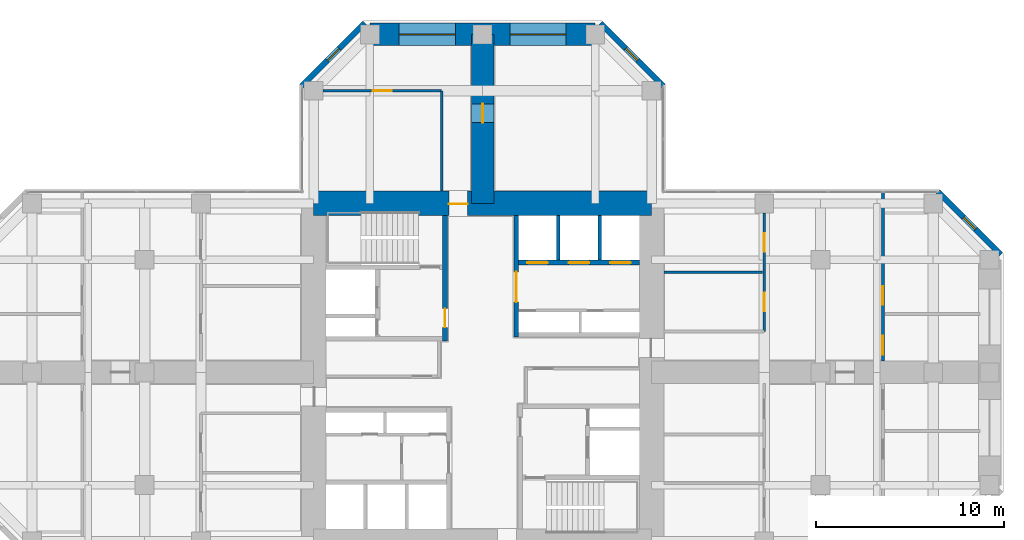
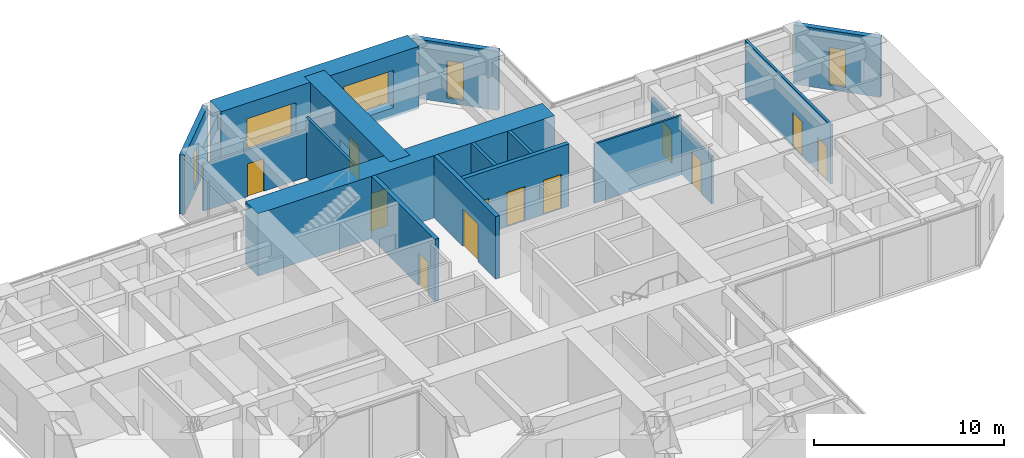
# One storey, part 11 of 13: 16 walls, 12 doors, 5 windows, 17 openings.
"""IFC4 building model written with IfcOpenShell, lengths in metres."""

from ifc_helpers import new_model, si_unit, direction, frame, frame_2d, origin, place, context, subcontext, project, spatial, rectangle, hollow_rectangle, extrude, material, layer, layer_set, constituent, constituent_set, type_object, element, fill, save


model = new_model("IFC4")

# Units and contexts
model_context = context("Model", 3, precision=1e-05, world=origin(), true_north=direction((0.0, 1.0)))
body_context = subcontext(model_context, "Body", "Model", "MODEL_VIEW")
ifc_project = project(units=[si_unit("LENGTHUNIT", "METRE"), si_unit("AREAUNIT", "SQUARE_METRE"), si_unit("VOLUMEUNIT", "CUBIC_METRE"), si_unit("PLANEANGLEUNIT", "RADIAN"), si_unit("MASSUNIT", "GRAM", prefix="KILO")], contexts=[model_context])

# Site, building, storey
site_placement = place(None, origin())
site = spatial("IfcSite", under=ifc_project, at=site_placement, CompositionType="ELEMENT")
building_placement = place(site_placement, origin())
building = spatial("IfcBuilding", under=site, at=building_placement, Name="Torre Cruceta", CompositionType="ELEMENT")
storey_placement = place(building_placement, frame((0.0, 0.0, 132.5)))
storey = spatial("IfcBuildingStorey", under=building, at=storey_placement, Name="L32", CompositionType="ELEMENT", Elevation=132.5)

# Wall, opening, door
ifc_material_1 = material(Name="Concrete G60 (fck 60 MPa)", Category="concrete")
ifc_layer_1 = layer(ifc_material_1, 0.25)
ifc_layer_set_1 = layer_set([ifc_layer_1], Name="Concrete G60 (fck 60 MPa)")
wall_type_1 = type_object("IfcWallType", Name="CORE INNER WALL 250 G60", PredefinedType="SHEAR", material=ifc_layer_set_1)
wall_1_placement = place(storey_placement, frame((1.800048828125, 1.875, 0.0), z_axis=(0.0, 0.0, 1.0), x_axis=(0.0, 1.0, 0.0)))
wall_1 = element("IfcWall", 1, at=wall_1_placement, inside=storey, type_object=wall_type_1, Name="CW4 L32 NE-CU", PredefinedType="SHEAR", context=body_context, shape_type="SweptSolid", body=[
    extrude(rectangle(XDim=6.47509765625, YDim=0.25, at=frame_2d((3.237548828125, 0.0))), origin(), (0.0, 0.0, 1.0), 4.0),
])
opening_1_placement = place(wall_1_placement, frame((1.875, 0.0, 0.0)))
opening_1 = element("IfcOpeningElement", 2, at=opening_1_placement, cuts=wall_1, Name="Opening D8", PredefinedType="OPENING", context=body_context, shape_type="SweptSolid", body=[
    extrude(rectangle(XDim=1.60009765625, YDim=2.39990234375, at=frame_2d((0.800048828125, 1.199951171875))), frame((0.0, 0.135009765625, 0.0), z_axis=(0.0, -1.0, 0.0), x_axis=(1.0, 0.0, 0.0)), (0.0, 0.0, 1.0), 0.27001953125),
])
ifc_material_2 = material(Name="Steel DX51D", Category="steel")
ifc_constituent_1 = constituent(ifc_material_2, Name="Leaf and frame")
ifc_material_3 = material(Name="Polyester powder coating", Category="paint")
ifc_constituent_2 = constituent(ifc_material_3, Name="Finish")
ifc_material_4 = material(Name="Fire-resisting glass", Category="glass")
ifc_constituent_3 = constituent(ifc_material_4, Name="Vision panel")
ifc_constituent_set_1 = constituent_set(constituents=[ifc_constituent_1, ifc_constituent_2, ifc_constituent_3], Name="Steel fire door with vision panels")
door_type_1 = type_object("IfcDoorType", Name="LIFT LOBBY DOUBLE DOOR 1600X2400", OperationType="DOUBLE_DOOR_DOUBLE_SWING", PredefinedType="DOOR", material=ifc_constituent_set_1)
door_1_placement = place(opening_1_placement, origin())
door_1 = element("IfcDoor", 3, at=door_1_placement, inside=storey, type_object=door_type_1, Name="D8 L32 NE-LOBBY", OperationType="DOUBLE_DOOR_DOUBLE_SWING", OverallHeight=2.39990234375, OverallWidth=1.60009765625, PredefinedType="DOOR", context=body_context, shape_type="SweptSolid", body=[
    extrude(rectangle(XDim=1.60009765625, YDim=2.39990234375, at=frame_2d((0.800048828125, 1.199951171875))), frame((0.0, 0.02490234375, 0.0), z_axis=(0.0, -1.0, 0.0), x_axis=(1.0, 0.0, 0.0)), (0.0, 0.0, 1.0), 0.050048828125),
])
fill(opening_1, door_1)

# Wall, openings, doors
wall_2_placement = place(storey_placement, frame((1.925048828125, 5.85009765625, 0.0), z_axis=(0.0, 0.0, 1.0), x_axis=(1.0, 0.0, 0.0)))
wall_2 = element("IfcWall", 4, at=wall_2_placement, inside=storey, type_object=wall_type_1, Name="CW4 L32 NE-LV", PredefinedType="SHEAR", context=body_context, shape_type="SweptSolid", body=[
    extrude(rectangle(XDim=6.425048828125, YDim=0.25, at=frame_2d((3.21240234375, 0.0))), origin(), (0.0, 0.0, 1.0), 4.0),
])
opening_2_placement = place(wall_2_placement, frame((0.4541015625, 0.0, 0.0)))
opening_2 = element("IfcOpeningElement", 5, at=opening_2_placement, cuts=wall_2, Name="Opening LD1", PredefinedType="OPENING", context=body_context, shape_type="SweptSolid", body=[
    extrude(rectangle(XDim=1.10009765625, YDim=2.199951171875, at=frame_2d((0.550048828125, 1.10009765625))), frame((0.0, 0.135009765625, 0.0), z_axis=(0.0, -1.0, 0.0), x_axis=(1.0, 0.0, 0.0)), (0.0, 0.0, 1.0), 0.27001953125),
])
opening_3_placement = place(wall_2_placement, frame((2.66259765625, 0.0, 0.0)))
opening_3 = element("IfcOpeningElement", 6, at=opening_3_placement, cuts=wall_2, Name="Opening LD1", PredefinedType="OPENING", context=body_context, shape_type="SweptSolid", body=[
    extrude(rectangle(XDim=1.10009765625, YDim=2.199951171875, at=frame_2d((0.550048828125, 1.10009765625))), frame((0.0, 0.135009765625, 0.0), z_axis=(0.0, -1.0, 0.0), x_axis=(1.0, 0.0, 0.0)), (0.0, 0.0, 1.0), 0.27001953125),
])
opening_4_placement = place(wall_2_placement, frame((4.870849609375, 0.0, 0.0)))
opening_4 = element("IfcOpeningElement", 7, at=opening_4_placement, cuts=wall_2, Name="Opening LD1", PredefinedType="OPENING", context=body_context, shape_type="SweptSolid", body=[
    extrude(rectangle(XDim=1.10009765625, YDim=2.199951171875, at=frame_2d((0.550048828125, 1.10009765625))), frame((0.0, 0.135009765625, 0.0), z_axis=(0.0, -1.0, 0.0), x_axis=(1.0, 0.0, 0.0)), (0.0, 0.0, 1.0), 0.27001953125),
])
ifc_material_5 = material(Name="Stainless steel 1.4401", Category="steel")
door_type_2 = type_object("IfcDoorType", Name="LIFT LANDING DOOR 1100X2200", OperationType="DOUBLE_DOOR_SLIDING", PredefinedType="DOOR", material=ifc_material_5)
door_2_placement = place(opening_2_placement, origin())
door_2 = element("IfcDoor", 8, at=door_2_placement, inside=storey, type_object=door_type_2, Name="Lift landing door P1", OperationType="DOUBLE_DOOR_SLIDING", OverallHeight=2.199951171875, OverallWidth=1.10009765625, PredefinedType="DOOR", context=body_context, shape_type="SweptSolid", body=[
    extrude(rectangle(XDim=1.10009765625, YDim=2.199951171875, at=frame_2d((0.550048828125, 1.10009765625))), frame((0.0, 0.02490234375, 0.0), z_axis=(0.0, -1.0, 0.0), x_axis=(1.0, 0.0, 0.0)), (0.0, 0.0, 1.0), 0.050048828125),
])
fill(opening_2, door_2)
door_3_placement = place(opening_3_placement, origin())
door_3 = element("IfcDoor", 9, at=door_3_placement, inside=storey, type_object=door_type_2, Name="Lift landing door P2", OperationType="DOUBLE_DOOR_SLIDING", OverallHeight=2.199951171875, OverallWidth=1.10009765625, PredefinedType="DOOR", context=body_context, shape_type="SweptSolid", body=[
    extrude(rectangle(XDim=1.10009765625, YDim=2.199951171875, at=frame_2d((0.550048828125, 1.10009765625))), frame((0.0, 0.02490234375, 0.0), z_axis=(0.0, -1.0, 0.0), x_axis=(1.0, 0.0, 0.0)), (0.0, 0.0, 1.0), 0.050048828125),
])
fill(opening_3, door_3)
door_4_placement = place(opening_4_placement, origin())
door_4 = element("IfcDoor", 10, at=door_4_placement, inside=storey, type_object=door_type_2, Name="Lift landing door P3", OperationType="DOUBLE_DOOR_SLIDING", OverallHeight=2.199951171875, OverallWidth=1.10009765625, PredefinedType="DOOR", context=body_context, shape_type="SweptSolid", body=[
    extrude(rectangle(XDim=1.10009765625, YDim=2.199951171875, at=frame_2d((0.550048828125, 1.10009765625))), frame((0.0, 0.02490234375, 0.0), z_axis=(0.0, -1.0, 0.0), x_axis=(1.0, 0.0, 0.0)), (0.0, 0.0, 1.0), 0.050048828125),
])
fill(opening_4, door_4)

# Wall, opening, door
wall_3_placement = place(storey_placement, frame((-2.0, 1.675048828125, 0.0), z_axis=(0.0, 0.0, 1.0), x_axis=(0.0, 1.0, 0.0)))
wall_3 = element("IfcWall", 11, at=wall_3_placement, inside=storey, type_object=wall_type_1, Name="CW4 L32 NW-CU", PredefinedType="SHEAR", context=body_context, shape_type="SweptSolid", body=[
    extrude(rectangle(XDim=6.675048828125, YDim=0.25, at=frame_2d((3.33740234375, 0.0))), origin(), (0.0, 0.0, 1.0), 4.0),
])
opening_5_placement = place(wall_3_placement, frame((0.72509765625, 0.0, 0.0)))
opening_5 = element("IfcOpeningElement", 12, at=opening_5_placement, cuts=wall_3, Name="Opening D3", PredefinedType="OPENING", context=body_context, shape_type="SweptSolid", body=[
    extrude(rectangle(XDim=1.0, YDim=2.10009765625, at=frame_2d((0.5, 1.050048828125))), frame((0.0, 0.135009765625, 0.0), z_axis=(0.0, -1.0, 0.0), x_axis=(1.0, 0.0, 0.0)), (0.0, 0.0, 1.0), 0.27001953125),
])
ifc_material_6 = material(Name="Steel DX51D", Category="steel")
ifc_constituent_4 = constituent(ifc_material_6, Name="Leaf and frame")
ifc_material_7 = material(Name="Polyester powder coating", Category="paint")
ifc_constituent_5 = constituent(ifc_material_7, Name="Finish")
ifc_constituent_set_2 = constituent_set(constituents=[ifc_constituent_4, ifc_constituent_5], Name="Steel fire door")
door_type_3 = type_object("IfcDoorType", Name="FIRE DOOR 1000X2100", OperationType="SINGLE_SWING_LEFT", PredefinedType="DOOR", material=ifc_constituent_set_2)
door_5_placement = place(opening_5_placement, origin())
door_5 = element("IfcDoor", 13, at=door_5_placement, inside=storey, type_object=door_type_3, Name="D3 L32 NW-LOBBY", OperationType="SINGLE_SWING_LEFT", OverallHeight=2.10009765625, OverallWidth=1.0, PredefinedType="DOOR", context=body_context, shape_type="SweptSolid", body=[
    extrude(rectangle(XDim=1.0, YDim=2.10009765625, at=frame_2d((0.5, 1.050048828125))), frame((0.0, 0.02490234375, 0.0), z_axis=(0.0, -1.0, 0.0), x_axis=(1.0, 0.0, 0.0)), (0.0, 0.0, 1.0), 0.050048828125),
])
fill(opening_5, door_5)

ifc_material_8 = material(Name="Concrete G60 (fck 60 MPa)", Category="concrete")
ifc_layer_2 = layer(ifc_material_8, 1.300048828125)
ifc_layer_set_2 = layer_set([ifc_layer_2], Name="Concrete G60 (fck 60 MPa)")
wall_type_2 = type_object("IfcWallType", Name="CORE WALL 1300 G60", PredefinedType="SHEAR", material=ifc_layer_set_2)
wall_4_placement = place(storey_placement, frame((9.0, 9.0, 0.0), z_axis=(0.0, 0.0, 1.0), x_axis=(-1.0, 0.0, 0.0)))
wall_4 = element("IfcWall", 14, at=wall_4_placement, inside=storey, type_object=wall_type_2, Name="CW1 L32 CW-N", PredefinedType="SHEAR", context=body_context, shape_type="SweptSolid", body=[
    extrude(rectangle(XDim=18.0, YDim=1.300048828125, at=frame_2d((9.0, 0.0))), origin(), (0.0, 0.0, 1.0), 4.0),
])
opening_6_placement = place(wall_4_placement, frame((9.800048828125, 0.0, 0.0)))
opening_6 = element("IfcOpeningElement", 15, at=opening_6_placement, cuts=wall_4, Name="Opening D4", PredefinedType="OPENING", context=body_context, shape_type="SweptSolid", body=[
    extrude(rectangle(XDim=1.0, YDim=2.39990234375, at=frame_2d((0.5, 1.199951171875))), frame((0.0, 0.659912109375, 0.0), z_axis=(0.0, -1.0, 0.0), x_axis=(1.0, 0.0, 0.0)), (0.0, 0.0, 1.0), 1.320068359375),
])
ifc_material_9 = material(Name="Steel DX51D", Category="steel")
ifc_constituent_6 = constituent(ifc_material_9, Name="Leaf and frame")
ifc_material_10 = material(Name="Polyester powder coating", Category="paint")
ifc_constituent_7 = constituent(ifc_material_10, Name="Finish")
ifc_constituent_set_3 = constituent_set(constituents=[ifc_constituent_6, ifc_constituent_7], Name="Steel fire door")
door_type_4 = type_object("IfcDoorType", Name="CORE ARM DOOR 1000X2400", OperationType="SINGLE_SWING_RIGHT", PredefinedType="DOOR", material=ifc_constituent_set_3)
door_6_placement = place(opening_6_placement, frame((1.0, 0.0, 0.0), z_axis=(0.0, 0.0, 1.0), x_axis=(-1.0, 0.0, 0.0)))
door_6 = element("IfcDoor", 16, at=door_6_placement, inside=storey, type_object=door_type_4, Name="D4 L32 CW-N", OperationType="SINGLE_SWING_RIGHT", OverallHeight=2.39990234375, OverallWidth=1.0, PredefinedType="DOOR", context=body_context, shape_type="SweptSolid", body=[
    extrude(rectangle(XDim=1.0, YDim=2.39990234375, at=frame_2d((0.5, 1.199951171875))), frame((0.0, -0.005126953125, 0.0), z_axis=(0.0, -1.0, 0.0), x_axis=(1.0, 0.0, 0.0)), (0.0, 0.0, 1.0), 0.050048828125),
])
fill(opening_6, door_6)

# Wall, opening, window
ifc_material_11 = material(Name="Concrete G30 (fck 30 MPa)", Category="concrete")
ifc_layer_3 = layer(ifc_material_11, 0.300048828125)
ifc_layer_set_3 = layer_set([ifc_layer_3], Name="Concrete G30 (fck 30 MPa)")
wall_type_3 = type_object("IfcWallType", Name="EXPOSED CONCRETE FACADE WALL 300", PredefinedType="SOLIDWALL", material=ifc_layer_set_3)
wall_5_placement = place(storey_placement, frame((27.60009765625, 6.27685546875, 0.0), z_axis=(0.0, 0.0, 1.0), x_axis=(-0.707106781187, 0.707106781187, 0.0)))
wall_5 = element("IfcWall", 17, at=wall_5_placement, inside=storey, type_object=wall_type_3, Name="EW1 facade wall L32 E chamfer 03", PredefinedType="SOLIDWALL", context=body_context, shape_type="SweptSolid", body=[
    extrude(rectangle(XDim=4.72802734375, YDim=0.300048828125, at=frame_2d((2.364013671875, 0.0))), origin(), (0.0, 0.0, 1.0), 3.800048828125),
])
opening_7_placement = place(wall_5_placement, frame((1.9140625, 0.0, 0.300048828125)))
opening_7 = element("IfcOpeningElement", 18, at=opening_7_placement, cuts=wall_5, Name="Opening WN5", PredefinedType="OPENING", context=body_context, shape_type="SweptSolid", body=[
    extrude(rectangle(XDim=0.89990234375, YDim=2.39990234375, at=frame_2d((0.449951171875, 1.199951171875))), frame((0.0, 0.159912109375, 0.0), z_axis=(0.0, -1.0, 0.0), x_axis=(1.0, 0.0, 0.0)), (0.0, 0.0, 1.0), 0.320068359375),
])
ifc_material_12 = material(Name="Aluminium window frame", Category="aluminium")
ifc_constituent_8 = constituent(ifc_material_12, Name="Frame")
ifc_material_13 = material(Name="Laminated insulating glass unit, low-iron clear", Category="glass")
ifc_constituent_9 = constituent(ifc_material_13, Name="Glazing")
ifc_constituent_set_4 = constituent_set(constituents=[ifc_constituent_8, ifc_constituent_9], Name="Aluminium window")
window_type_1 = type_object("IfcWindowType", Name="CHAMFER SLOT WINDOW 900X2400", PartitioningType="SINGLE_PANEL", PredefinedType="WINDOW", material=ifc_constituent_set_4)
window_1_placement = place(opening_7_placement, origin())
window_1 = element("IfcWindow", 19, at=window_1_placement, inside=storey, type_object=window_type_1, Name="WN5 L32 E 1", OverallHeight=2.39990234375, OverallWidth=0.89990234375, PartitioningType="SINGLE_PANEL", PredefinedType="WINDOW", context=body_context, shape_type="SweptSolid", body=[
    extrude(hollow_rectangle(XDim=0.89990234375, YDim=2.39990234375, WallThickness=0.06005859375, at=frame_2d((0.449951171875, 1.199951171875))), frame((0.0, 0.030029296875, 0.0), z_axis=(0.0, -1.0, 0.0), x_axis=(1.0, 0.0, 0.0)), (0.0, 0.0, 1.0), 0.06005859375),
    extrude(rectangle(XDim=0.77880859375, YDim=2.27880859375, at=frame_2d((0.449951171875, 1.199951171875))), frame((0.0, 0.030029296875, 0.0), z_axis=(0.0, -1.0, 0.0), x_axis=(1.0, 0.0, 0.0)), (0.0, 0.0, 1.0), 0.06005859375),
])
fill(opening_7, window_1)

wall_6_placement = place(storey_placement, frame((9.6201171875, 15.2568359375, 0.0), z_axis=(0.0, 0.0, 1.0), x_axis=(-0.707106781187, 0.707106781187, 0.0)))
wall_6 = element("IfcWall", 20, at=wall_6_placement, inside=storey, type_object=wall_type_3, Name="EW1 facade wall L32 N chamfer 06", PredefinedType="SOLIDWALL", context=body_context, shape_type="SweptSolid", body=[
    extrude(rectangle(XDim=4.72802734375, YDim=0.300048828125, at=frame_2d((2.364013671875, 0.0))), origin(), (0.0, 0.0, 1.0), 3.800048828125),
])
opening_8_placement = place(wall_6_placement, frame((1.9140625, 0.0, 0.300048828125)))
opening_8 = element("IfcOpeningElement", 21, at=opening_8_placement, cuts=wall_6, Name="Opening WN5", PredefinedType="OPENING", context=body_context, shape_type="SweptSolid", body=[
    extrude(rectangle(XDim=0.89990234375, YDim=2.39990234375, at=frame_2d((0.449951171875, 1.199951171875))), frame((0.0, 0.159912109375, 0.0), z_axis=(0.0, -1.0, 0.0), x_axis=(1.0, 0.0, 0.0)), (0.0, 0.0, 1.0), 0.320068359375),
])
window_2_placement = place(opening_8_placement, origin())
window_2 = element("IfcWindow", 22, at=window_2_placement, inside=storey, type_object=window_type_1, Name="WN5 L32 N 1", OverallHeight=2.39990234375, OverallWidth=0.89990234375, PartitioningType="SINGLE_PANEL", PredefinedType="WINDOW", context=body_context, shape_type="SweptSolid", body=[
    extrude(hollow_rectangle(XDim=0.89990234375, YDim=2.39990234375, WallThickness=0.06005859375, at=frame_2d((0.449951171875, 1.199951171875))), frame((0.0, 0.030029296875, 0.0), z_axis=(0.0, -1.0, 0.0), x_axis=(1.0, 0.0, 0.0)), (0.0, 0.0, 1.0), 0.06005859375),
    extrude(rectangle(XDim=0.77880859375, YDim=2.27880859375, at=frame_2d((0.449951171875, 1.199951171875))), frame((0.0, 0.030029296875, 0.0), z_axis=(0.0, -1.0, 0.0), x_axis=(1.0, 0.0, 0.0)), (0.0, 0.0, 1.0), 0.06005859375),
])
fill(opening_8, window_2)

wall_7_placement = place(storey_placement, frame((-6.27685546875, 18.60009765625, 0.0), z_axis=(0.0, 0.0, 1.0), x_axis=(-0.707106781187, -0.707106781187, 0.0)))
wall_7 = element("IfcWall", 23, at=wall_7_placement, inside=storey, type_object=wall_type_3, Name="EW1 facade wall L32 N chamfer 08", PredefinedType="SOLIDWALL", context=body_context, shape_type="SweptSolid", body=[
    extrude(rectangle(XDim=4.72802734375, YDim=0.300048828125, at=frame_2d((2.364013671875, 0.0))), origin(), (0.0, 0.0, 1.0), 3.800048828125),
])
opening_9_placement = place(wall_7_placement, frame((1.9140625, 0.0, 0.300048828125)))
opening_9 = element("IfcOpeningElement", 24, at=opening_9_placement, cuts=wall_7, Name="Opening WN5", PredefinedType="OPENING", context=body_context, shape_type="SweptSolid", body=[
    extrude(rectangle(XDim=0.89990234375, YDim=2.39990234375, at=frame_2d((0.449951171875, 1.199951171875))), frame((0.0, 0.159912109375, 0.0), z_axis=(0.0, -1.0, 0.0), x_axis=(1.0, 0.0, 0.0)), (0.0, 0.0, 1.0), 0.320068359375),
])
window_3_placement = place(opening_9_placement, origin())
window_3 = element("IfcWindow", 25, at=window_3_placement, inside=storey, type_object=window_type_1, Name="WN5 L32 N 1", OverallHeight=2.39990234375, OverallWidth=0.89990234375, PartitioningType="SINGLE_PANEL", PredefinedType="WINDOW", context=body_context, shape_type="SweptSolid", body=[
    extrude(hollow_rectangle(XDim=0.89990234375, YDim=2.39990234375, WallThickness=0.06005859375, at=frame_2d((0.449951171875, 1.199951171875))), frame((0.0, 0.030029296875, 0.0), z_axis=(0.0, -1.0, 0.0), x_axis=(1.0, 0.0, 0.0)), (0.0, 0.0, 1.0), 0.06005859375),
    extrude(rectangle(XDim=0.77880859375, YDim=2.27880859375, at=frame_2d((0.449951171875, 1.199951171875))), frame((0.0, 0.030029296875, 0.0), z_axis=(0.0, -1.0, 0.0), x_axis=(1.0, 0.0, 0.0)), (0.0, 0.0, 1.0), 0.06005859375),
])
fill(opening_9, window_3)

# Walls
ifc_material_14 = material(Name="Concrete G35 (fck 35 MPa)", Category="concrete")
ifc_layer_4 = layer(ifc_material_14, 0.199951171875)
ifc_layer_set_4 = layer_set([ifc_layer_4], Name="Concrete G35 (fck 35 MPa)")
wall_type_4 = type_object("IfcWallType", Name="LIFT SHAFT WALL 200", PredefinedType="PARTITIONING", material=ifc_layer_set_4)
for number, where, z_axis, x_axis, name in (
    (26, (4.033447265625, 5.97509765625, 0.0), (0.0, 0.0, 1.0), (0.0, 1.0, 0.0), "SW1 L32 NE-LS1"),
    (27, (6.24169921875, 5.97509765625, 0.0), (0.0, 0.0, 1.0), (0.0, 1.0, 0.0), "SW1 L32 NE-LS2"),
):
    element("IfcWall", number, at=place(storey_placement, frame(where, z_axis=z_axis, x_axis=x_axis)), inside=storey, type_object=wall_type_4, Name=name, PredefinedType="PARTITIONING", context=body_context, shape_type="SweptSolid", body=[
        extrude(rectangle(XDim=2.375, YDim=0.199951171875, at=frame_2d((1.1875, 0.0))), origin(), (0.0, 0.0, 1.0), 4.0),
    ])

# Wall, openings, windows
ifc_material_15 = material(Name="Concrete G60 (fck 60 MPa)", Category="concrete")
ifc_layer_5 = layer(ifc_material_15, 1.199951171875)
ifc_layer_set_5 = layer_set([ifc_layer_5], Name="Concrete G60 (fck 60 MPa)")
wall_type_5 = type_object("IfcWallType", Name="NOSE WALL 1200 G60", PredefinedType="SHEAR", material=ifc_layer_set_5)
wall_8_placement = place(storey_placement, frame((6.0, 18.0, 0.0), z_axis=(0.0, 0.0, 1.0), x_axis=(-1.0, 0.0, 0.0)))
wall_8 = element("IfcWall", 28, at=wall_8_placement, inside=storey, type_object=wall_type_5, Name="NW1 nose wall L32 N", PredefinedType="SHEAR", context=body_context, shape_type="SweptSolid", body=[
    extrude(rectangle(XDim=12.0, YDim=1.199951171875, at=frame_2d((6.0, 0.0))), origin(), (0.0, 0.0, 1.0), 4.0),
])
opening_10_placement = place(wall_8_placement, frame((1.550048828125, 0.0, 0.60009765625)))
opening_10 = element("IfcOpeningElement", 29, at=opening_10_placement, cuts=wall_8, Name="Opening WN6", PredefinedType="OPENING", context=body_context, shape_type="SweptSolid", body=[
    extrude(rectangle(XDim=3.0, YDim=2.39990234375, at=frame_2d((1.5, 1.199951171875))), frame((0.0, 0.60986328125, 0.0), z_axis=(0.0, -1.0, 0.0), x_axis=(1.0, 0.0, 0.0)), (0.0, 0.0, 1.0), 1.219970703125),
])
opening_11_placement = place(wall_8_placement, frame((7.449951171875, 0.0, 0.60009765625)))
opening_11 = element("IfcOpeningElement", 30, at=opening_11_placement, cuts=wall_8, Name="Opening WN6", PredefinedType="OPENING", context=body_context, shape_type="SweptSolid", body=[
    extrude(rectangle(XDim=3.0, YDim=2.39990234375, at=frame_2d((1.5, 1.199951171875))), frame((0.0, 0.60986328125, 0.0), z_axis=(0.0, -1.0, 0.0), x_axis=(1.0, 0.0, 0.0)), (0.0, 0.0, 1.0), 1.219970703125),
])
ifc_material_16 = material(Name="Aluminium window frame", Category="aluminium")
ifc_constituent_10 = constituent(ifc_material_16, Name="Frame")
ifc_material_17 = material(Name="Laminated insulating glass unit, low-iron clear", Category="glass")
ifc_constituent_11 = constituent(ifc_material_17, Name="Glazing")
ifc_constituent_set_5 = constituent_set(constituents=[ifc_constituent_10, ifc_constituent_11], Name="Aluminium window")
window_type_2 = type_object("IfcWindowType", Name="NOSE WALL WINDOW 3000X2400", PartitioningType="SINGLE_PANEL", PredefinedType="WINDOW", material=ifc_constituent_set_5)
window_4_placement = place(opening_10_placement, origin())
window_4 = element("IfcWindow", 31, at=window_4_placement, inside=storey, type_object=window_type_2, Name="WN6 L32 N 1", OverallHeight=2.39990234375, OverallWidth=3.0, PartitioningType="SINGLE_PANEL", PredefinedType="WINDOW", context=body_context, shape_type="SweptSolid", body=[
    extrude(hollow_rectangle(XDim=3.0, YDim=2.39990234375, WallThickness=0.06005859375, at=frame_2d((1.5, 1.199951171875))), frame((0.0, 0.030029296875, 0.0), z_axis=(0.0, -1.0, 0.0), x_axis=(1.0, 0.0, 0.0)), (0.0, 0.0, 1.0), 0.06005859375),
    extrude(rectangle(XDim=2.87890625, YDim=2.27880859375, at=frame_2d((1.5, 1.199951171875))), frame((0.0, 0.030029296875, 0.0), z_axis=(0.0, -1.0, 0.0), x_axis=(1.0, 0.0, 0.0)), (0.0, 0.0, 1.0), 0.06005859375),
])
fill(opening_10, window_4)
window_5_placement = place(opening_11_placement, origin())
window_5 = element("IfcWindow", 32, at=window_5_placement, inside=storey, type_object=window_type_2, Name="WN6 L32 N 2", OverallHeight=2.39990234375, OverallWidth=3.0, PartitioningType="SINGLE_PANEL", PredefinedType="WINDOW", context=body_context, shape_type="SweptSolid", body=[
    extrude(hollow_rectangle(XDim=3.0, YDim=2.39990234375, WallThickness=0.06005859375, at=frame_2d((1.5, 1.199951171875))), frame((0.0, 0.030029296875, 0.0), z_axis=(0.0, -1.0, 0.0), x_axis=(1.0, 0.0, 0.0)), (0.0, 0.0, 1.0), 0.06005859375),
    extrude(rectangle(XDim=2.87890625, YDim=2.27880859375, at=frame_2d((1.5, 1.199951171875))), frame((0.0, 0.030029296875, 0.0), z_axis=(0.0, -1.0, 0.0), x_axis=(1.0, 0.0, 0.0)), (0.0, 0.0, 1.0), 0.06005859375),
])
fill(opening_11, window_5)

# Wall, opening, door
ifc_material_18 = material(Name="Plasterboard on steel studs", Category="steel")
ifc_layer_6 = layer(ifc_material_18, 0.14990234375)
ifc_layer_set_6 = layer_set([ifc_layer_6], Name="Plasterboard on steel studs")
wall_type_6 = type_object("IfcWallType", Name="PARTITION 150", PredefinedType="PARTITIONING", material=ifc_layer_set_6)
wall_9_placement = place(storey_placement, frame((-2.175048828125, 15.0, 0.0), z_axis=(0.0, 0.0, 1.0), x_axis=(-1.0, 0.0, 0.0)))
wall_9 = element("IfcWall", 33, at=wall_9_placement, inside=storey, type_object=wall_type_6, Name="PT1 L32-N-BFL", PredefinedType="PARTITIONING", context=body_context, shape_type="SweptSolid", body=[
    extrude(rectangle(XDim=6.324951171875, YDim=0.14990234375, at=frame_2d((3.16259765625, 0.0))), origin(), (0.0, 0.0, 1.0), 3.0),
])
opening_12_placement = place(wall_9_placement, frame((2.66259765625, 0.0, 0.0)))
opening_12 = element("IfcOpeningElement", 34, at=opening_12_placement, cuts=wall_9, Name="Opening D3", PredefinedType="OPENING", context=body_context, shape_type="SweptSolid", body=[
    extrude(rectangle(XDim=1.0, YDim=2.10009765625, at=frame_2d((0.5, 1.050048828125))), frame((0.0, 0.0849609375, 0.0), z_axis=(0.0, -1.0, 0.0), x_axis=(1.0, 0.0, 0.0)), (0.0, 0.0, 1.0), 0.169921875),
])
door_7_placement = place(opening_12_placement, frame((1.0, 0.0, 0.0), z_axis=(0.0, 0.0, 1.0), x_axis=(-1.0, 0.0, 0.0)))
door_7 = element("IfcDoor", 35, at=door_7_placement, inside=storey, type_object=door_type_3, Name="D3 L32-N-BFL-D1", OperationType="SINGLE_SWING_LEFT", OverallHeight=2.10009765625, OverallWidth=1.0, PredefinedType="DOOR", context=body_context, shape_type="SweptSolid", body=[
    extrude(rectangle(XDim=1.0, YDim=2.10009765625, at=frame_2d((0.5, 1.050048828125))), frame((0.0, 0.025146484375, 0.0), z_axis=(0.0, -1.0, 0.0), x_axis=(1.0, 0.0, 0.0)), (0.0, 0.0, 1.0), 0.050048828125),
])
fill(opening_12, door_7)

# Wall
wall_10_placement = place(storey_placement, frame((-2.175048828125, 9.64990234375, 0.0), z_axis=(0.0, 0.0, 1.0), x_axis=(0.0, 1.0, 0.0)))
element("IfcWall", 36, at=wall_10_placement, inside=storey, type_object=wall_type_6, Name="PT1 L32-N-BSL", PredefinedType="PARTITIONING", context=body_context, shape_type="SweptSolid", body=[
    extrude(rectangle(XDim=5.35009765625, YDim=0.14990234375, at=frame_2d((2.675048828125, 0.0))), origin(), (0.0, 0.0, 1.0), 3.800048828125),
])

# Wall, openings, doors
wall_11_placement = place(storey_placement, frame((15.0, 2.175048828125, 0.0), z_axis=(0.0, 0.0, 1.0), x_axis=(0.0, 1.0, 0.0)))
wall_11 = element("IfcWall", 37, at=wall_11_placement, inside=storey, type_object=wall_type_6, Name="PT1 L32-E-BFL", PredefinedType="PARTITIONING", context=body_context, shape_type="SweptSolid", body=[
    extrude(rectangle(XDim=6.324951171875, YDim=0.14990234375, at=frame_2d((3.16259765625, 0.0))), origin(), (0.0, 0.0, 1.0), 3.0),
])
opening_13_placement = place(wall_11_placement, frame((1.081298828125, 0.0, 0.0)))
opening_13 = element("IfcOpeningElement", 38, at=opening_13_placement, cuts=wall_11, Name="Opening D3", PredefinedType="OPENING", context=body_context, shape_type="SweptSolid", body=[
    extrude(rectangle(XDim=1.0, YDim=2.10009765625, at=frame_2d((0.5, 1.050048828125))), frame((0.0, 0.0849609375, 0.0), z_axis=(0.0, -1.0, 0.0), x_axis=(1.0, 0.0, 0.0)), (0.0, 0.0, 1.0), 0.169921875),
])
opening_14_placement = place(wall_11_placement, frame((4.243896484375, 0.0, 0.0)))
opening_14 = element("IfcOpeningElement", 39, at=opening_14_placement, cuts=wall_11, Name="Opening D3", PredefinedType="OPENING", context=body_context, shape_type="SweptSolid", body=[
    extrude(rectangle(XDim=1.0, YDim=2.10009765625, at=frame_2d((0.5, 1.050048828125))), frame((0.0, 0.0849609375, 0.0), z_axis=(0.0, -1.0, 0.0), x_axis=(1.0, 0.0, 0.0)), (0.0, 0.0, 1.0), 0.169921875),
])
door_8_placement = place(opening_13_placement, origin())
door_8 = element("IfcDoor", 40, at=door_8_placement, inside=storey, type_object=door_type_3, Name="D3 L32-E-BFL-D1", OperationType="SINGLE_SWING_LEFT", OverallHeight=2.10009765625, OverallWidth=1.0, PredefinedType="DOOR", context=body_context, shape_type="SweptSolid", body=[
    extrude(rectangle(XDim=1.0, YDim=2.10009765625, at=frame_2d((0.5, 1.050048828125))), frame((0.0, 0.02490234375, 0.0), z_axis=(0.0, -1.0, 0.0), x_axis=(1.0, 0.0, 0.0)), (0.0, 0.0, 1.0), 0.050048828125),
])
fill(opening_13, door_8)
door_9_placement = place(opening_14_placement, origin())
door_9 = element("IfcDoor", 41, at=door_9_placement, inside=storey, type_object=door_type_3, Name="D3 L32-E-BFL-D2", OperationType="SINGLE_SWING_LEFT", OverallHeight=2.10009765625, OverallWidth=1.0, PredefinedType="DOOR", context=body_context, shape_type="SweptSolid", body=[
    extrude(rectangle(XDim=1.0, YDim=2.10009765625, at=frame_2d((0.5, 1.050048828125))), frame((0.0, 0.02490234375, 0.0), z_axis=(0.0, -1.0, 0.0), x_axis=(1.0, 0.0, 0.0)), (0.0, 0.0, 1.0), 0.050048828125),
])
fill(opening_14, door_9)

wall_12_placement = place(storey_placement, frame((21.320068359375, 0.60009765625, 0.0), z_axis=(0.0, 0.0, 1.0), x_axis=(0.0, 1.0, 0.0)))
wall_12 = element("IfcWall", 42, at=wall_12_placement, inside=storey, type_object=wall_type_6, Name="PT1 L32-E-TWL", PredefinedType="PARTITIONING", context=body_context, shape_type="SweptSolid", body=[
    extrude(rectangle(XDim=8.97998046875, YDim=0.14990234375, at=frame_2d((4.489990234375, 0.0))), origin(), (0.0, 0.0, 1.0), 3.800048828125),
])
opening_15_placement = place(wall_12_placement, frame((0.35009765625, 0.0, 0.0)))
opening_15 = element("IfcOpeningElement", 43, at=opening_15_placement, cuts=wall_12, Name="Opening D14", PredefinedType="OPENING", context=body_context, shape_type="SweptSolid", body=[
    extrude(rectangle(XDim=1.0, YDim=2.199951171875, at=frame_2d((0.5, 1.10009765625))), frame((0.0, 0.0849609375, 0.0), z_axis=(0.0, -1.0, 0.0), x_axis=(1.0, 0.0, 0.0)), (0.0, 0.0, 1.0), 0.169921875),
])
opening_16_placement = place(wall_12_placement, frame((2.992919921875, 0.0, 0.0)))
opening_16 = element("IfcOpeningElement", 44, at=opening_16_placement, cuts=wall_12, Name="Opening D14", PredefinedType="OPENING", context=body_context, shape_type="SweptSolid", body=[
    extrude(rectangle(XDim=1.0, YDim=2.199951171875, at=frame_2d((0.5, 1.10009765625))), frame((0.0, 0.0849609375, 0.0), z_axis=(0.0, -1.0, 0.0), x_axis=(1.0, 0.0, 0.0)), (0.0, 0.0, 1.0), 0.169921875),
])
ifc_material_19 = material(Name="Steel DX51D", Category="steel")
ifc_constituent_12 = constituent(ifc_material_19, Name="Leaf and frame")
ifc_material_20 = material(Name="Polyester powder coating", Category="paint")
ifc_constituent_13 = constituent(ifc_material_20, Name="Finish")
ifc_material_21 = material(Name="Fire-resisting glass", Category="glass")
ifc_constituent_14 = constituent(ifc_material_21, Name="Vision panel")
ifc_constituent_set_6 = constituent_set(constituents=[ifc_constituent_12, ifc_constituent_13, ifc_constituent_14], Name="Steel fire door with vision panel")
door_type_5 = type_object("IfcDoorType", Name="FIRE DOOR VISION PANEL 1000X2200", OperationType="SINGLE_SWING_RIGHT", PredefinedType="DOOR", material=ifc_constituent_set_6)
door_10_placement = place(opening_15_placement, frame((1.0, 0.0, 0.0), z_axis=(0.0, 0.0, 1.0), x_axis=(-1.0, 0.0, 0.0)))
door_10 = element("IfcDoor", 45, at=door_10_placement, inside=storey, type_object=door_type_5, Name="D14 L32-E-TWL-D1", OperationType="SINGLE_SWING_RIGHT", OverallHeight=2.199951171875, OverallWidth=1.0, PredefinedType="DOOR", context=body_context, shape_type="SweptSolid", body=[
    extrude(rectangle(XDim=1.0, YDim=2.199951171875, at=frame_2d((0.5, 1.10009765625))), frame((0.0, 0.025146484375, 0.0), z_axis=(0.0, -1.0, 0.0), x_axis=(1.0, 0.0, 0.0)), (0.0, 0.0, 1.0), 0.050048828125),
])
fill(opening_15, door_10)
door_11_placement = place(opening_16_placement, frame((1.0, 0.0, 0.0), z_axis=(0.0, 0.0, 1.0), x_axis=(-1.0, 0.0, 0.0)))
door_11 = element("IfcDoor", 46, at=door_11_placement, inside=storey, type_object=door_type_5, Name="D14 L32-E-TWL-D2", OperationType="SINGLE_SWING_RIGHT", OverallHeight=2.199951171875, OverallWidth=1.0, PredefinedType="DOOR", context=body_context, shape_type="SweptSolid", body=[
    extrude(rectangle(XDim=1.0, YDim=2.199951171875, at=frame_2d((0.5, 1.10009765625))), frame((0.0, 0.025146484375, 0.0), z_axis=(0.0, -1.0, 0.0), x_axis=(1.0, 0.0, 0.0)), (0.0, 0.0, 1.0), 0.050048828125),
])
fill(opening_16, door_11)

# Wall, opening, door
ifc_material_22 = material(Name="Concrete G60 (fck 60 MPa)", Category="concrete")
ifc_layer_7 = layer(ifc_material_22, 1.199951171875)
ifc_layer_set_7 = layer_set([ifc_layer_7], Name="Concrete G60 (fck 60 MPa)")
wall_type_7 = type_object("IfcWallType", Name="SPINE WALL 1200 G60", PredefinedType="SHEAR", material=ifc_layer_set_7)
wall_13_placement = place(storey_placement, frame((0.0, 9.0, 0.0), z_axis=(0.0, 0.0, 1.0), x_axis=(0.0, 1.0, 0.0)))
wall_13 = element("IfcWall", 47, at=wall_13_placement, inside=storey, type_object=wall_type_7, Name="SW3 spine wall L32 N", PredefinedType="SHEAR", context=body_context, shape_type="SweptSolid", body=[
    extrude(rectangle(XDim=9.0, YDim=1.199951171875, at=frame_2d((4.5, 0.0))), origin(), (0.0, 0.0, 1.0), 4.0),
])
opening_17_placement = place(wall_13_placement, frame((4.300048828125, 0.0, 0.0)))
opening_17 = element("IfcOpeningElement", 48, at=opening_17_placement, cuts=wall_13, Name="Opening D14", PredefinedType="OPENING", context=body_context, shape_type="SweptSolid", body=[
    extrude(rectangle(XDim=1.0, YDim=2.199951171875, at=frame_2d((0.5, 1.10009765625))), frame((0.0, 0.60986328125, 0.0), z_axis=(0.0, -1.0, 0.0), x_axis=(1.0, 0.0, 0.0)), (0.0, 0.0, 1.0), 1.219970703125),
])
door_12_placement = place(opening_17_placement, origin())
door_12 = element("IfcDoor", 49, at=door_12_placement, inside=storey, type_object=door_type_5, Name="D14 L32-N-SP1", OperationType="SINGLE_SWING_RIGHT", OverallHeight=2.199951171875, OverallWidth=1.0, PredefinedType="DOOR", context=body_context, shape_type="SweptSolid", body=[
    extrude(rectangle(XDim=1.0, YDim=2.199951171875, at=frame_2d((0.5, 1.10009765625))), frame((0.0, 0.02490234375, 0.0), z_axis=(0.0, -1.0, 0.0), x_axis=(1.0, 0.0, 0.0)), (0.0, 0.0, 1.0), 0.050048828125),
])
fill(opening_17, door_12)

# Wall
ifc_material_23 = material(Name="Plasterboard on steel studs", Category="steel")
ifc_layer_8 = layer(ifc_material_23, 0.1201171875)
ifc_layer_set_8 = layer_set([ifc_layer_8], Name="Plasterboard on steel studs")
wall_type_8 = type_object("IfcWallType", Name="WC PARTITION 120", PredefinedType="PLUMBINGWALL", material=ifc_layer_set_8)
wall_14_placement = place(storey_placement, frame((9.64990234375, 5.33740234375, 0.0), z_axis=(0.0, 0.0, 1.0), x_axis=(1.0, 0.0, 0.0)))
element("IfcWall", 50, at=wall_14_placement, inside=storey, type_object=wall_type_8, Name="PT5 L32-E-BDL1", PredefinedType="PLUMBINGWALL", context=body_context, shape_type="SweptSolid", body=[
    extrude(rectangle(XDim=5.25, YDim=0.1201171875, at=frame_2d((2.625, 0.0))), origin(), (0.0, 0.0, 1.0), 3.800048828125),
])

save(model, "model.ifc")
